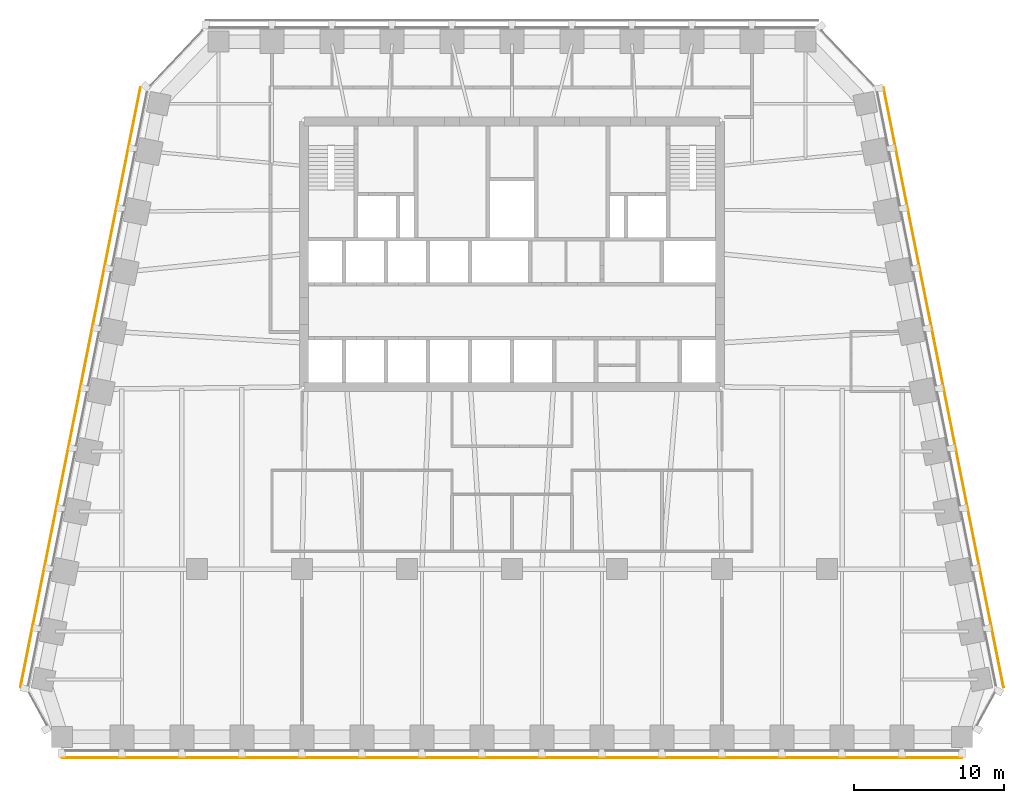
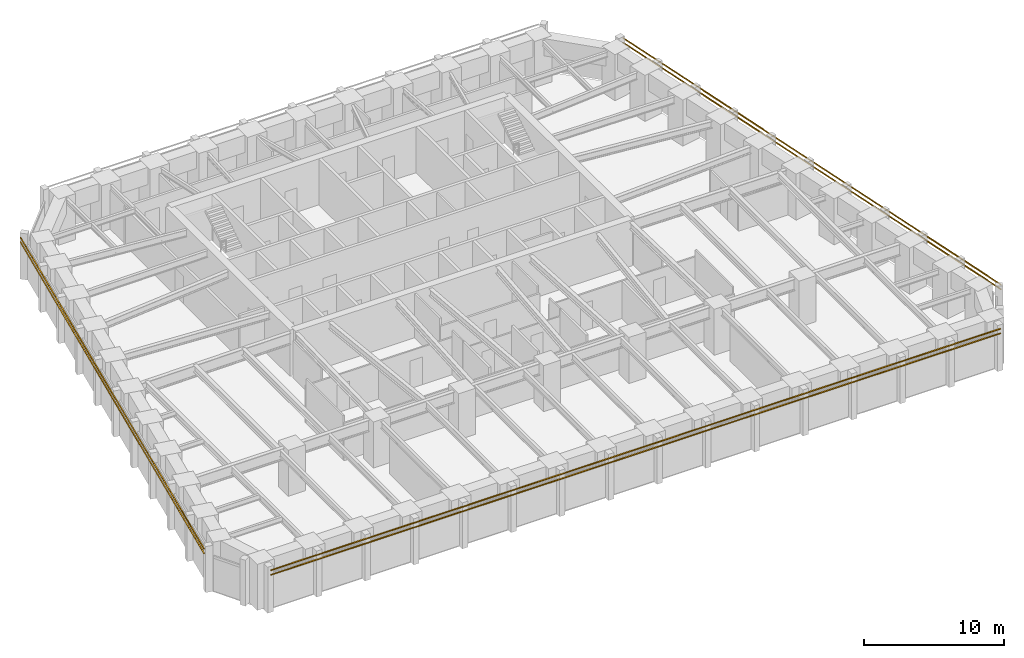
# One storey, part 9 of 10: 6 shading devices.
"""IFC4 building model written with IfcOpenShell, lengths in metres."""

import ifcopenshell
import ifcopenshell.guid

model = None  # the IFC model being written
_history = None  # IfcOwnerHistory: only IFC2X3 demands one
_inside = {}  # id of a spatial element -> (the spatial element, [elements in it])
_under = {}  # id of a project, library or spatial element -> (it, [spatial elements below it])
_declared = {}  # id of a project -> (the project, [libraries it declares])
_typed = {}  # id of a type object -> (the type object, [elements of that type])
_made_of = {}  # id of a material, layer set ... -> (it, [elements and type objects made of it])


def new_model(schema):
    """Start an empty IFC model of exactly this schema.

    Asked for "IFC4X3", IfcOpenShell would pick the latest addendum, in which some entities
    have other attributes; the version numbers below select the first issue.
    IFC2X3 requires an IfcOwnerHistory on every rooted entity: one is made here for all.
    """
    global model, _history
    if schema == "IFC4X3":
        model = ifcopenshell.file(schema_version=(4, 3, 0, 0))
    else:
        model = ifcopenshell.file(schema=schema)
    _inside.clear()
    _under.clear()
    _declared.clear()
    _typed.clear()
    _made_of.clear()
    _history = None
    if model.schema == "IFC2X3":
        org = make("IfcOrganization", Name="unknown")
        user = make(
            "IfcPersonAndOrganization",
            ThePerson=make("IfcPerson", FamilyName="unknown"),
            TheOrganization=org,
        )
        app = make(
            "IfcApplication",
            ApplicationDeveloper=org,
            Version="unknown",
            ApplicationFullName="unknown",
            ApplicationIdentifier="unknown",
        )
        _history = make(
            "IfcOwnerHistory",
            OwningUser=user,
            OwningApplication=app,
            ChangeAction="ADDED",
            CreationDate=0,
        )
    return model


def make(cls, **values):
    """One entity of the class cls with the attributes given. An attribute that is None is left unset."""
    return model.create_entity(
        cls, **{name: value for name, value in values.items() if value is not None}
    )


def rooted(cls, **values):
    """An entity with a GlobalId (a new one), such as an element, a storey or a relation."""
    return make(cls, GlobalId=ifcopenshell.guid.new(), OwnerHistory=_history, **values)


def si_unit(unit_type, name, prefix=None):
    """IfcSIUnit, for example si_unit("LENGTHUNIT", "METRE", prefix="MILLI")."""
    return make("IfcSIUnit", UnitType=unit_type, Prefix=prefix, Name=name)


def assignment(units):
    """IfcUnitAssignment: the units of a project."""
    return None if units is None else make("IfcUnitAssignment", Units=units)


def point(xyz):
    """IfcCartesianPoint."""
    return None if xyz is None else make("IfcCartesianPoint", Coordinates=xyz)


def direction(xyz):
    """IfcDirection."""
    return None if xyz is None else make("IfcDirection", DirectionRatios=xyz)


def frame(location, z_axis=None, x_axis=None):
    """IfcAxis2Placement3D, a coordinate frame: its origin and axes. An axis left out is left unset."""
    return make(
        "IfcAxis2Placement3D",
        Location=point(location),
        Axis=direction(z_axis),
        RefDirection=direction(x_axis),
    )


def frame_2d(location, x_axis=None):
    """IfcAxis2Placement2D, a coordinate frame in the plane: its origin and x axis."""
    return make(
        "IfcAxis2Placement2D", Location=point(location), RefDirection=direction(x_axis)
    )


def origin():
    """The frame at (0, 0, 0) with its axes left unset."""
    return frame((0.0, 0.0, 0.0))


def origin_2d():
    """The frame at (0, 0) in the plane with its x axis left unset."""
    return frame_2d((0.0, 0.0))


def place(relative_to, where):
    """IfcLocalPlacement: puts the frame where relative to a parent placement (None: the world)."""
    return make(
        "IfcLocalPlacement", PlacementRelTo=relative_to, RelativePlacement=where
    )


def context(
    kind, dimensions, precision=None, world=None, true_north=None, identifier=None
):
    """IfcGeometricRepresentationContext, for example the 3D "Model" context."""
    return make(
        "IfcGeometricRepresentationContext",
        ContextIdentifier=identifier,
        ContextType=kind,
        CoordinateSpaceDimension=dimensions,
        Precision=precision,
        WorldCoordinateSystem=world,
        TrueNorth=true_north,
    )


def subcontext(parent, identifier, kind, view, scale=None):
    """IfcGeometricRepresentationSubContext, for example "Body" below "Model"."""
    return make(
        "IfcGeometricRepresentationSubContext",
        ContextIdentifier=identifier,
        ContextType=kind,
        ParentContext=parent,
        TargetScale=scale,
        TargetView=view,
    )


def project(units=None, contexts=None):
    """IfcProject with its units and contexts."""
    return rooted(
        "IfcProject",
        Name="project",
        RepresentationContexts=contexts,
        UnitsInContext=assignment(units),
    )


def spatial(cls, under=None, at=None, **own):
    """A site, building, storey or space (cls), placed at a placement, below another one or the project."""
    s = rooted(cls, ObjectPlacement=at, **own)
    if under is not None:
        _under.setdefault(under.id(), (under, []))[1].append(s)
    return s


def profile(cls, at=None, kind="AREA", **sizes):
    """A parametric profile (cls). Its sizes go by their IFC names, for example OverallWidth=200.0."""
    return make(cls, ProfileType=kind, Position=at, **sizes)


def rectangle(**sizes):
    """IfcRectangleProfileDef."""
    return profile("IfcRectangleProfileDef", **sizes)


def extrude(swept, where, along, depth):
    """IfcExtrudedAreaSolid: the profile swept, set in the frame where, extruded along a direction by depth."""
    return make(
        "IfcExtrudedAreaSolid",
        SweptArea=swept,
        Position=where,
        ExtrudedDirection=direction(along),
        Depth=depth,
    )


def shape(context_of_items, identifier, shape_type, items):
    """IfcShapeRepresentation: the items that make up one representation, for example the "Body"."""
    return make(
        "IfcShapeRepresentation",
        ContextOfItems=context_of_items,
        RepresentationIdentifier=identifier,
        RepresentationType=shape_type,
        Items=items,
    )


def material(Name=None, Category=None):
    """IfcMaterial."""
    return make("IfcMaterial", Name=Name, Category=Category)


def material_profile(
    of_material, cross_section, Name=None, Category=None, Priority=None
):
    """IfcMaterialProfile: a cross section and its material."""
    return make(
        "IfcMaterialProfile",
        Name=Name,
        Material=of_material,
        Profile=cross_section,
        Priority=Priority,
        Category=Category,
    )


def profile_set(profiles, Name=None, composite=None):
    """IfcMaterialProfileSet."""
    return make(
        "IfcMaterialProfileSet",
        Name=Name,
        MaterialProfiles=profiles,
        CompositeProfile=composite,
    )


def made_of(thing, what):
    """Note that an element or type object is made of a material, layer set ...; save() writes the relation."""
    if what is not None:
        _made_of.setdefault(what.id(), (what, []))[1].append(thing)
    return thing


def type_object(cls, material=None, **own):
    """A type object (cls), such as IfcWallType, which elements share."""
    return made_of(rooted(cls, **own), material)


def element(
    cls,
    number,
    at=None,
    inside=None,
    cuts=None,
    type_object=None,
    material=None,
    context=None,
    identifier="Body",
    shape_type=None,
    held_by="IfcProductDefinitionShape",
    body=None,
    shapes=None,
    **own,
):
    """One element of the class cls, such as IfcWall. Its Tag is "e" and its number.

    at: its placement. inside: the storey or other place that contains it. cuts: it is an
    opening in that element (IfcRelVoidsElement). A single representation is given by context,
    identifier, shape_type and body (its items); several are given by shapes. held_by: the class
    of the entity that holds the representations. save() writes the other relations.
    """
    e = rooted(cls, Tag="e%d" % number, ObjectPlacement=at, **own)
    if body is not None:
        shapes = [shape(context, identifier, shape_type, body)]
    if shapes is not None:
        e.Representation = make(held_by, Representations=shapes)
    if inside is not None:
        _inside.setdefault(inside.id(), (inside, []))[1].append(e)
    if cuts is not None:
        rooted(
            "IfcRelVoidsElement", RelatingBuildingElement=cuts, RelatedOpeningElement=e
        )
    if type_object is not None:
        _typed.setdefault(type_object.id(), (type_object, []))[1].append(e)
    return made_of(e, material)


def aggregate(whole, parts):
    """IfcRelAggregates: a whole, such as a stair, and the parts it consists of."""
    return rooted("IfcRelAggregates", RelatingObject=whole, RelatedObjects=parts)


def save(model, path):
    """Write the relations noted so far, then the file.

    IfcRelAggregates (storeys below a building ...), IfcRelContainedInSpatialStructure (elements
    in a storey), IfcRelDefinesByType, IfcRelAssociatesMaterial and IfcRelDeclares: one each for
    every whole, place, type object, material and project.
    """
    for whole, parts in _under.values():
        aggregate(whole, parts)
    for where, things in _inside.values():
        rooted(
            "IfcRelContainedInSpatialStructure",
            RelatedElements=things,
            RelatingStructure=where,
        )
    for kind, things in _typed.values():
        rooted("IfcRelDefinesByType", RelatedObjects=things, RelatingType=kind)
    for what, things in _made_of.values():
        rooted("IfcRelAssociatesMaterial", RelatedObjects=things, RelatingMaterial=what)
    for by, libraries in _declared.values():
        rooted("IfcRelDeclares", RelatingContext=by, RelatedDefinitions=libraries)
    model.write(path)


model = new_model("IFC4")

# Units and contexts
model_context = context("Model", 3, precision=1e-05, world=origin(), true_north=direction((0.0, 1.0)))
body_context = subcontext(model_context, "Body", "Model", "MODEL_VIEW")
ifc_project = project(units=[si_unit("LENGTHUNIT", "METRE"), si_unit("AREAUNIT", "SQUARE_METRE"), si_unit("VOLUMEUNIT", "CUBIC_METRE"), si_unit("PLANEANGLEUNIT", "RADIAN"), si_unit("MASSUNIT", "GRAM", prefix="KILO")], contexts=[model_context])

# Site, building, storey
site_placement = place(None, origin())
site = spatial("IfcSite", under=ifc_project, at=site_placement, CompositionType="ELEMENT")
building_placement = place(site_placement, origin())
building = spatial("IfcBuilding", under=site, at=building_placement, Name="Isbrekke Arena Tower", CompositionType="ELEMENT")
storey_placement = place(building_placement, frame((0.0, 0.0, 186.0)))
storey = spatial("IfcBuildingStorey", under=building, at=storey_placement, Name="L42", CompositionType="ELEMENT", Elevation=186.0)

# Shading devices
ifc_material = material(Name="Terracotta", Category="masonry")
ifc_material_profile = material_profile(ifc_material, rectangle(XDim=0.06005859375, YDim=0.06005859375, at=origin_2d()), Name="BAGUETTE 60X60")
ifc_profile_set = profile_set([ifc_material_profile], Name="Terracotta")
shading_device_type = type_object("IfcShadingDeviceType", Name="BG1 TERRACOTTA BAGUETTE 60 x 60", PredefinedType="USERDEFINED", material=ifc_profile_set)
for number, where, z_axis, x_axis, name in (
    (1, (-30.0, -18.580078125, 3.280029296875), (1.0, 0.0, 0.0), (0.0, 1.0, 0.0), "BG1 terracotta baguette S1 L42"),
    (2, (-30.0, -18.580078125, 3.679931640625), (1.0, 0.0, 0.0), (0.0, 1.0, 0.0), "BG1 terracotta baguette S2 L42"),
):
    element("IfcShadingDevice", number, at=place(storey_placement, frame(where, z_axis=z_axis, x_axis=x_axis)), inside=storey, type_object=shading_device_type, Name=name, ObjectType="TERRACOTTA BAGUETTE", PredefinedType="USERDEFINED", context=body_context, shape_type="SweptSolid", body=[
        extrude(rectangle(XDim=0.06005859375, YDim=0.06005859375, at=origin_2d()), origin(), (0.0, 0.0, 1.0), 60.0),
    ])
for number, where, z_axis, x_axis, name in (
    (3, (32.768798828125, -13.88623046875, 3.280029296875), (-0.196116135138, 0.980580675691, 0.0), (-0.980580675691, -0.196116135138, 0.0), "BG1 terracotta baguette E1 L42"),
    (4, (32.768798828125, -13.88623046875, 3.679931640625), (-0.196116135138, 0.980580675691, 0.0), (-0.980580675691, -0.196116135138, 0.0), "BG1 terracotta baguette E2 L42"),
    (5, (-24.768798828125, 26.11376953125, 3.280029296875), (-0.196116135138, -0.980580675691, 0.0), (0.980580675691, -0.196116135138, 0.0), "BG1 terracotta baguette W1 L42"),
    (6, (-24.768798828125, 26.11376953125, 3.679931640625), (-0.196116135138, -0.980580675691, 0.0), (0.980580675691, -0.196116135138, 0.0), "BG1 terracotta baguette W2 L42"),
):
    element("IfcShadingDevice", number, at=place(storey_placement, frame(where, z_axis=z_axis, x_axis=x_axis)), inside=storey, type_object=shading_device_type, Name=name, ObjectType="TERRACOTTA BAGUETTE", PredefinedType="USERDEFINED", context=body_context, shape_type="SweptSolid", body=[
        extrude(rectangle(XDim=0.06005859375, YDim=0.06005859375, at=origin_2d()), origin(), (0.0, 0.0, 1.0), 40.792236328125),
    ])

save(model, "model.ifc")
